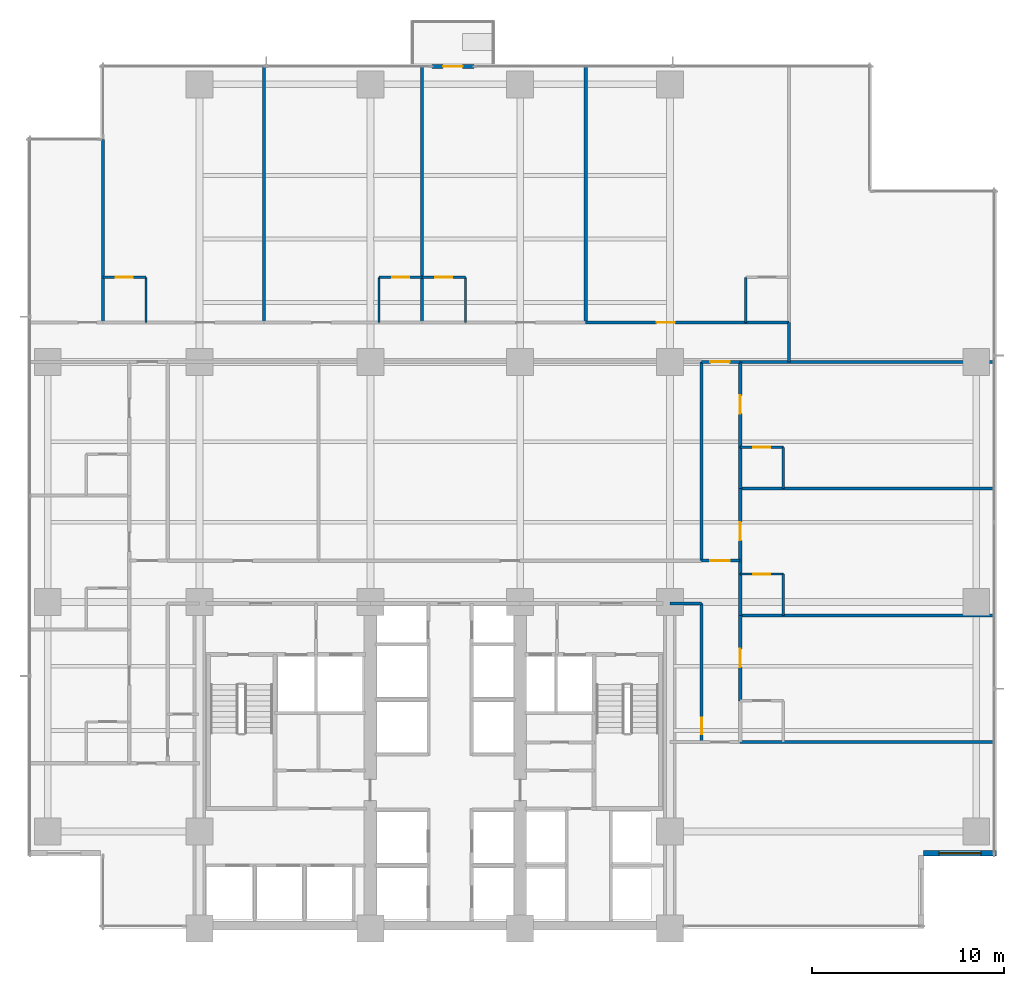
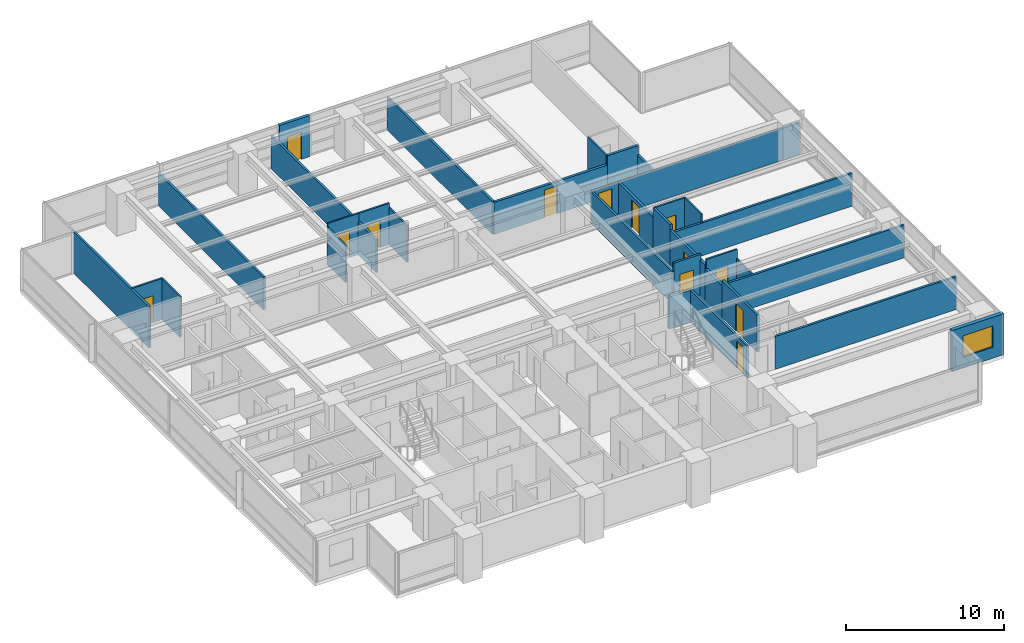
# One storey, part 10 of 16: 34 walls, 13 doors, 1 window, 14 openings.
"""IFC4 building model written with IfcOpenShell, lengths in metres."""

from ifc_helpers import new_model, si_unit, direction, frame, frame_2d, origin, place, context, subcontext, project, spatial, rectangle, extrude, material, layer, layer_set, type_object, element, fill, save


model = new_model("IFC4")

# Units and contexts
model_context = context("Model", 3, precision=1e-05, world=origin(), true_north=direction((0.0, 1.0)))
body_context = subcontext(model_context, "Body", "Model", "MODEL_VIEW")
ifc_project = project(units=[si_unit("LENGTHUNIT", "METRE"), si_unit("AREAUNIT", "SQUARE_METRE"), si_unit("VOLUMEUNIT", "CUBIC_METRE"), si_unit("PLANEANGLEUNIT", "RADIAN"), si_unit("MASSUNIT", "GRAM", prefix="KILO")], contexts=[model_context])

# Site, building, storey
site_placement = place(None, origin())
site = spatial("IfcSite", under=ifc_project, at=site_placement, CompositionType="ELEMENT")
building_placement = place(site_placement, origin())
building = spatial("IfcBuilding", under=site, at=building_placement, Name="Qalmaran Belvedere Hotel", CompositionType="ELEMENT")
storey_placement = place(building_placement, frame((0.0, 0.0, 71.89990234375)))
storey = spatial("IfcBuildingStorey", under=building, at=storey_placement, Name="L18", CompositionType="ELEMENT", Elevation=71.89990234375)

# Wall, opening, door
ifc_material_1 = material(Name="Anodised Bronze Cladding")
ifc_layer_1 = layer(ifc_material_1, 0.22509765625, Name="Anodised Bronze Cladding")
ifc_layer_set_1 = layer_set([ifc_layer_1], Name="Anodised Bronze Cladding")
wall_type_1 = type_object("IfcWallType", Name="WL-BAL-PORT-225", PredefinedType="SOLIDWALL", material=ifc_layer_set_1)
wall_1_placement = place(storey_placement, frame((32.39990234375, 48.3798828125, 0.0), z_axis=(0.0, 0.0, 1.0), x_axis=(1.0, 0.0, 0.0)))
wall_1 = element("IfcWall", 1, at=wall_1_placement, inside=storey, type_object=wall_type_1, Name="L18 Tree Balcony Door Portal", PredefinedType="SOLIDWALL", context=body_context, shape_type="SweptSolid", body=[
    extrude(rectangle(XDim=2.2001953125, YDim=0.22509765625, at=frame_2d((1.10009765625, 0.0))), origin(), (0.0, 0.0, 1.0), 3.18017578125),
])
opening_1_placement = place(wall_1_placement, frame((0.590087890625, 0.0, 0.0)))
opening_1 = element("IfcOpeningElement", 2, at=opening_1_placement, cuts=wall_1, Name="Opening BL-102", PredefinedType="OPENING", context=body_context, shape_type="SweptSolid", body=[
    extrude(rectangle(XDim=1.02001953125, YDim=2.10009765625, at=frame_2d((0.510009765625, 1.050048828125))), frame((0.0, 0.12255859375, 0.0), z_axis=(0.0, -1.0, 0.0), x_axis=(1.0, 0.0, 0.0)), (0.0, 0.0, 1.0), 0.2451171875),
])
ifc_material_2 = material(Name="Anodised Bronze Aluminium", Category="aluminium")
door_type_1 = type_object("IfcDoorType", Name="DR-BAL-1020X2100", OperationType="NOTDEFINED", PredefinedType="DOOR", material=ifc_material_2)
door_1_placement = place(opening_1_placement, origin())
door_1 = element("IfcDoor", 3, at=door_1_placement, inside=storey, type_object=door_type_1, Name="L18 Planted Tree Balcony Door", OperationType="SINGLE_SWING_LEFT", OverallHeight=2.10009765625, OverallWidth=1.02001953125, PredefinedType="DOOR", context=body_context, shape_type="SweptSolid", body=[
    extrude(rectangle(XDim=1.02001953125, YDim=2.10009765625, at=frame_2d((0.510009765625, 1.050048828125))), frame((0.0, 0.02490234375, 0.0), z_axis=(0.0, -1.0, 0.0), x_axis=(1.0, 0.0, 0.0)), (0.0, 0.0, 1.0), 0.050048828125),
])
fill(opening_1, door_1)

# Wall, opening, window
ifc_layer_2 = layer(ifc_material_1, 0.280029296875, Name="Anodised Bronze Cladding")
ifc_layer_set_2 = layer_set([ifc_layer_2], Name="Anodised Bronze Cladding")
wall_type_2 = type_object("IfcWallType", Name="WL-EXT-BRNZ-280", PredefinedType="SOLIDWALL", material=ifc_layer_set_2)
wall_2_placement = place(storey_placement, frame((58.0, 7.419921875, 0.0), z_axis=(0.0, 0.0, 1.0), x_axis=(1.0, 0.0, 0.0)))
wall_2 = element("IfcWall", 4, at=wall_2_placement, inside=storey, type_object=wall_type_2, Name="L18 Corner Notch Wall 2", PredefinedType="SOLIDWALL", context=body_context, shape_type="SweptSolid", body=[
    extrude(rectangle(XDim=3.800048828125, YDim=0.280029296875, at=frame_2d((1.89990234375, 0.0))), origin(), (0.0, 0.0, 1.0), 3.18017578125),
])
opening_2_placement = place(wall_2_placement, frame((0.800048828125, 0.0, 0.85009765625)))
opening_2 = element("IfcOpeningElement", 5, at=opening_2_placement, cuts=wall_2, Name="Opening W-N22", PredefinedType="OPENING", context=body_context, shape_type="SweptSolid", body=[
    extrude(rectangle(XDim=2.199951171875, YDim=1.64990234375, at=frame_2d((1.10009765625, 0.824951171875))), frame((0.0, 0.14990234375, 0.0), z_axis=(0.0, -1.0, 0.0), x_axis=(1.0, 0.0, 0.0)), (0.0, 0.0, 1.0), 0.300048828125),
])
ifc_material_3 = material(Name="Solar-Control Double Glazing", Category="glass")
window_type = type_object("IfcWindowType", Name="WN-NTC-2200X1650", PartitioningType="SINGLE_PANEL", PredefinedType="WINDOW", material=ifc_material_3)
window_placement = place(opening_2_placement, origin())
window = element("IfcWindow", 6, at=window_placement, inside=storey, type_object=window_type, Name="L18 Corner Notch Window 2", OverallHeight=1.64990234375, OverallWidth=2.199951171875, PartitioningType="SINGLE_PANEL", PredefinedType="WINDOW", context=body_context, shape_type="SweptSolid", body=[
    extrude(rectangle(XDim=2.199951171875, YDim=1.64990234375, at=frame_2d((1.10009765625, 0.824951171875))), frame((0.0, 0.030029296875, 0.0), z_axis=(0.0, -1.0, 0.0), x_axis=(1.0, 0.0, 0.0)), (0.0, 0.0, 1.0), 0.06005859375),
])
fill(opening_2, window)

# Wall, opening, door
ifc_material_4 = material(Name="Moisture-Resistant Gypsum")
ifc_layer_3 = layer(ifc_material_4, 0.1201171875, Name="Moisture-Resistant Gypsum")
ifc_layer_set_3 = layer_set([ifc_layer_3], Name="Moisture-Resistant Gypsum")
wall_type_3 = type_object("IfcWallType", Name="WL-INT-120-BATH", PredefinedType="PARTITIONING", material=ifc_layer_set_3)
wall_3_placement = place(storey_placement, frame((15.27001953125, 37.39990234375, 0.0), z_axis=(0.0, 0.0, 1.0), x_axis=(1.0, 0.0, 0.0)))
wall_3 = element("IfcWall", 7, at=wall_3_placement, inside=storey, type_object=wall_type_3, Name="L18 Partition WL-L18-NBN00", PredefinedType="PARTITIONING", context=body_context, shape_type="SweptSolid", body=[
    extrude(rectangle(XDim=2.25, YDim=0.1201171875, at=frame_2d((1.125, 0.0))), origin(), (0.0, 0.0, 1.0), 3.18017578125),
])
opening_3_placement = place(wall_3_placement, frame((1.56494140625, 0.0, 0.0), z_axis=(0.0, 0.0, 1.0), x_axis=(-1.0, 0.0, 0.0)))
opening_3 = element("IfcOpeningElement", 8, at=opening_3_placement, cuts=wall_3, Name="Opening D-BATH", PredefinedType="OPENING", context=body_context, shape_type="SweptSolid", body=[
    extrude(rectangle(XDim=0.8798828125, YDim=2.080078125, at=frame_2d((0.43994140625, 1.0400390625))), frame((0.0, 0.070068359375, 0.0), z_axis=(0.0, -1.0, 0.0), x_axis=(1.0, 0.0, 0.0)), (0.0, 0.0, 1.0), 0.14013671875),
])
ifc_material_5 = material(Name="Engineered Oak Veneer")
door_type_2 = type_object("IfcDoorType", Name="DR-INT-BATH-880X2080", OperationType="NOTDEFINED", PredefinedType="DOOR", material=ifc_material_5)
door_2_placement = place(opening_3_placement, origin())
door_2 = element("IfcDoor", 9, at=door_2_placement, inside=storey, type_object=door_type_2, Name="L18 Ensuite Bathroom Door N01", OperationType="SINGLE_SWING_RIGHT", OverallHeight=2.080078125, OverallWidth=0.8798828125, PredefinedType="DOOR", context=body_context, shape_type="SweptSolid", body=[
    extrude(rectangle(XDim=0.8798828125, YDim=2.080078125, at=frame_2d((0.43994140625, 1.0400390625))), frame((0.0, 0.02490234375, 0.0), z_axis=(0.0, -1.0, 0.0), x_axis=(1.0, 0.0, 0.0)), (0.0, 0.0, 1.0), 0.050048828125),
])
fill(opening_3, door_2)

# Wall
wall_4_placement = place(storey_placement, frame((17.52001953125, 35.050048828125, 0.0), z_axis=(0.0, 0.0, 1.0), x_axis=(0.0, 1.0, 0.0)))
element("IfcWall", 10, at=wall_4_placement, inside=storey, type_object=wall_type_3, Name="L18 Partition WL-L18-NBS00", PredefinedType="PARTITIONING", context=body_context, shape_type="SweptSolid", body=[
    extrude(rectangle(XDim=2.349853515625, YDim=0.1201171875, at=frame_2d((1.1748046875, 0.0))), origin(), (0.0, 0.0, 1.0), 3.18017578125),
])

# Wall, opening, door
wall_5_placement = place(storey_placement, frame((29.64990234375, 37.39990234375, 0.0), z_axis=(0.0, 0.0, 1.0), x_axis=(1.0, 0.0, 0.0)))
wall_5 = element("IfcWall", 11, at=wall_5_placement, inside=storey, type_object=wall_type_3, Name="L18 Partition WL-L18-NBN01", PredefinedType="PARTITIONING", context=body_context, shape_type="SweptSolid", body=[
    extrude(rectangle(XDim=2.25, YDim=0.1201171875, at=frame_2d((1.125, 0.0))), origin(), (0.0, 0.0, 1.0), 3.18017578125),
])
opening_4_placement = place(wall_5_placement, frame((1.56494140625, 0.0, 0.0), z_axis=(0.0, 0.0, 1.0), x_axis=(-1.0, 0.0, 0.0)))
opening_4 = element("IfcOpeningElement", 12, at=opening_4_placement, cuts=wall_5, Name="Opening D-BATH", PredefinedType="OPENING", context=body_context, shape_type="SweptSolid", body=[
    extrude(rectangle(XDim=0.8798828125, YDim=2.080078125, at=frame_2d((0.43994140625, 1.0400390625))), frame((0.0, 0.070068359375, 0.0), z_axis=(0.0, -1.0, 0.0), x_axis=(1.0, 0.0, 0.0)), (0.0, 0.0, 1.0), 0.14013671875),
])
door_3_placement = place(opening_4_placement, origin())
door_3 = element("IfcDoor", 13, at=door_3_placement, inside=storey, type_object=door_type_2, Name="L18 Ensuite Bathroom Door N02", OperationType="SINGLE_SWING_RIGHT", OverallHeight=2.080078125, OverallWidth=0.8798828125, PredefinedType="DOOR", context=body_context, shape_type="SweptSolid", body=[
    extrude(rectangle(XDim=0.8798828125, YDim=2.080078125, at=frame_2d((0.43994140625, 1.0400390625))), frame((0.0, 0.02490234375, 0.0), z_axis=(0.0, -1.0, 0.0), x_axis=(1.0, 0.0, 0.0)), (0.0, 0.0, 1.0), 0.050048828125),
])
fill(opening_4, door_3)

# Wall
wall_6_placement = place(storey_placement, frame((29.64990234375, 35.050048828125, 0.0), z_axis=(0.0, 0.0, 1.0), x_axis=(0.0, 1.0, 0.0)))
element("IfcWall", 14, at=wall_6_placement, inside=storey, type_object=wall_type_3, Name="L18 Partition WL-L18-NBS01", PredefinedType="PARTITIONING", context=body_context, shape_type="SweptSolid", body=[
    extrude(rectangle(XDim=2.349853515625, YDim=0.1201171875, at=frame_2d((1.1748046875, 0.0))), origin(), (0.0, 0.0, 1.0), 2.862060546875),
])

# Wall, opening, door
wall_7_placement = place(storey_placement, frame((31.89990234375, 37.39990234375, 0.0), z_axis=(0.0, 0.0, 1.0), x_axis=(1.0, 0.0, 0.0)))
wall_7 = element("IfcWall", 15, at=wall_7_placement, inside=storey, type_object=wall_type_3, Name="L18 Partition WL-L18-NBN02", PredefinedType="PARTITIONING", context=body_context, shape_type="SweptSolid", body=[
    extrude(rectangle(XDim=2.25, YDim=0.1201171875, at=frame_2d((1.125, 0.0))), origin(), (0.0, 0.0, 1.0), 3.18017578125),
])
opening_5_placement = place(wall_7_placement, frame((1.56494140625, 0.0, 0.0), z_axis=(0.0, 0.0, 1.0), x_axis=(-1.0, 0.0, 0.0)))
opening_5 = element("IfcOpeningElement", 16, at=opening_5_placement, cuts=wall_7, Name="Opening D-BATH", PredefinedType="OPENING", context=body_context, shape_type="SweptSolid", body=[
    extrude(rectangle(XDim=0.8798828125, YDim=2.080078125, at=frame_2d((0.43994140625, 1.0400390625))), frame((0.0, 0.070068359375, 0.0), z_axis=(0.0, -1.0, 0.0), x_axis=(1.0, 0.0, 0.0)), (0.0, 0.0, 1.0), 0.14013671875),
])
door_4_placement = place(opening_5_placement, origin())
door_4 = element("IfcDoor", 17, at=door_4_placement, inside=storey, type_object=door_type_2, Name="L18 Ensuite Bathroom Door N03", OperationType="SINGLE_SWING_RIGHT", OverallHeight=2.080078125, OverallWidth=0.8798828125, PredefinedType="DOOR", context=body_context, shape_type="SweptSolid", body=[
    extrude(rectangle(XDim=0.8798828125, YDim=2.080078125, at=frame_2d((0.43994140625, 1.0400390625))), frame((0.0, 0.02490234375, 0.0), z_axis=(0.0, -1.0, 0.0), x_axis=(1.0, 0.0, 0.0)), (0.0, 0.0, 1.0), 0.050048828125),
])
fill(opening_5, door_4)

# Walls
wall_8_placement = place(storey_placement, frame((34.14990234375, 35.050048828125, 0.0), z_axis=(0.0, 0.0, 1.0), x_axis=(0.0, 1.0, 0.0)))
element("IfcWall", 18, at=wall_8_placement, inside=storey, type_object=wall_type_3, Name="L18 Partition WL-L18-NBS02", PredefinedType="PARTITIONING", context=body_context, shape_type="SweptSolid", body=[
    extrude(rectangle(XDim=2.349853515625, YDim=0.1201171875, at=frame_2d((1.1748046875, 0.0))), origin(), (0.0, 0.0, 1.0), 2.862060546875),
])
wall_9_placement = place(storey_placement, frame((48.75, 35.050048828125, 0.0), z_axis=(0.0, 0.0, 1.0), x_axis=(0.0, 1.0, 0.0)))
element("IfcWall", 19, at=wall_9_placement, inside=storey, type_object=wall_type_3, Name="L18 Partition WL-L18-NBS03", PredefinedType="PARTITIONING", context=body_context, shape_type="SweptSolid", body=[
    extrude(rectangle(XDim=2.349853515625, YDim=0.1201171875, at=frame_2d((1.1748046875, 0.0))), origin(), (0.0, 0.0, 1.0), 3.18017578125),
])

# Wall, opening, door
wall_10_placement = place(storey_placement, frame((48.449951171875, 21.949951171875, 0.0), z_axis=(0.0, 0.0, 1.0), x_axis=(1.0, 0.0, 0.0)))
wall_10 = element("IfcWall", 20, at=wall_10_placement, inside=storey, type_object=wall_type_3, Name="L18 Partition WL-L18-EBN01", PredefinedType="PARTITIONING", context=body_context, shape_type="SweptSolid", body=[
    extrude(rectangle(XDim=2.25, YDim=0.1201171875, at=frame_2d((1.125, 0.0))), origin(), (0.0, 0.0, 1.0), 3.18017578125),
])
opening_6_placement = place(wall_10_placement, frame((1.56494140625, 0.0, 0.0), z_axis=(0.0, 0.0, 1.0), x_axis=(-1.0, 0.0, 0.0)))
opening_6 = element("IfcOpeningElement", 21, at=opening_6_placement, cuts=wall_10, Name="Opening D-BATH", PredefinedType="OPENING", context=body_context, shape_type="SweptSolid", body=[
    extrude(rectangle(XDim=0.8798828125, YDim=2.080078125, at=frame_2d((0.43994140625, 1.0400390625))), frame((0.0, 0.070068359375, 0.0), z_axis=(0.0, -1.0, 0.0), x_axis=(1.0, 0.0, 0.0)), (0.0, 0.0, 1.0), 0.14013671875),
])
door_5_placement = place(opening_6_placement, origin())
door_5 = element("IfcDoor", 22, at=door_5_placement, inside=storey, type_object=door_type_2, Name="L18 E Ensuite Door 02", OperationType="SINGLE_SWING_RIGHT", OverallHeight=2.080078125, OverallWidth=0.8798828125, PredefinedType="DOOR", context=body_context, shape_type="SweptSolid", body=[
    extrude(rectangle(XDim=0.8798828125, YDim=2.080078125, at=frame_2d((0.43994140625, 1.0400390625))), frame((0.0, 0.02490234375, 0.0), z_axis=(0.0, -1.0, 0.0), x_axis=(1.0, 0.0, 0.0)), (0.0, 0.0, 1.0), 0.050048828125),
])
fill(opening_6, door_5)

# Wall
wall_11_placement = place(storey_placement, frame((50.699951171875, 19.800048828125, 0.0), z_axis=(0.0, 0.0, 1.0), x_axis=(0.0, 1.0, 0.0)))
element("IfcWall", 23, at=wall_11_placement, inside=storey, type_object=wall_type_3, Name="L18 Partition WL-L18-EBS01", PredefinedType="PARTITIONING", context=body_context, shape_type="SweptSolid", body=[
    extrude(rectangle(XDim=2.14990234375, YDim=0.1201171875, at=frame_2d((1.074951171875, 0.0))), origin(), (0.0, 0.0, 1.0), 2.47021484375),
])

# Wall, opening, door
wall_12_placement = place(storey_placement, frame((48.449951171875, 28.550048828125, 0.0), z_axis=(0.0, 0.0, 1.0), x_axis=(1.0, 0.0, 0.0)))
wall_12 = element("IfcWall", 24, at=wall_12_placement, inside=storey, type_object=wall_type_3, Name="L18 Partition WL-L18-EBN02", PredefinedType="PARTITIONING", context=body_context, shape_type="SweptSolid", body=[
    extrude(rectangle(XDim=2.25, YDim=0.1201171875, at=frame_2d((1.125, 0.0))), origin(), (0.0, 0.0, 1.0), 3.18017578125),
])
opening_7_placement = place(wall_12_placement, frame((1.56494140625, 0.0, 0.0), z_axis=(0.0, 0.0, 1.0), x_axis=(-1.0, 0.0, 0.0)))
opening_7 = element("IfcOpeningElement", 25, at=opening_7_placement, cuts=wall_12, Name="Opening D-BATH", PredefinedType="OPENING", context=body_context, shape_type="SweptSolid", body=[
    extrude(rectangle(XDim=0.8798828125, YDim=2.080078125, at=frame_2d((0.43994140625, 1.0400390625))), frame((0.0, 0.070068359375, 0.0), z_axis=(0.0, -1.0, 0.0), x_axis=(1.0, 0.0, 0.0)), (0.0, 0.0, 1.0), 0.14013671875),
])
door_6_placement = place(opening_7_placement, origin())
door_6 = element("IfcDoor", 26, at=door_6_placement, inside=storey, type_object=door_type_2, Name="L18 E Ensuite Door 03", OperationType="SINGLE_SWING_RIGHT", OverallHeight=2.080078125, OverallWidth=0.8798828125, PredefinedType="DOOR", context=body_context, shape_type="SweptSolid", body=[
    extrude(rectangle(XDim=0.8798828125, YDim=2.080078125, at=frame_2d((0.43994140625, 1.0400390625))), frame((0.0, 0.02490234375, 0.0), z_axis=(0.0, -1.0, 0.0), x_axis=(1.0, 0.0, 0.0)), (0.0, 0.0, 1.0), 0.050048828125),
])
fill(opening_7, door_6)

# Wall
wall_13_placement = place(storey_placement, frame((50.699951171875, 26.39990234375, 0.0), z_axis=(0.0, 0.0, 1.0), x_axis=(0.0, 1.0, 0.0)))
element("IfcWall", 27, at=wall_13_placement, inside=storey, type_object=wall_type_3, Name="L18 Partition WL-L18-EBS02", PredefinedType="PARTITIONING", context=body_context, shape_type="SweptSolid", body=[
    extrude(rectangle(XDim=2.150146484375, YDim=0.1201171875, at=frame_2d((1.0751953125, 0.0))), origin(), (0.0, 0.0, 1.0), 3.18017578125),
])

# Wall, opening, door
ifc_material_6 = material(Name="Gypsum Stud Partition")
ifc_layer_4 = layer(ifc_material_6, 0.14990234375, Name="Gypsum Stud Partition")
ifc_layer_set_4 = layer_set([ifc_layer_4], Name="Gypsum Stud Partition")
wall_type_4 = type_object("IfcWallType", Name="WL-INT-150-EI60", PredefinedType="PARTITIONING", material=ifc_layer_set_4)
wall_14_placement = place(storey_placement, frame((46.449951171875, 22.64990234375, 0.0), z_axis=(0.0, 0.0, 1.0), x_axis=(1.0, 0.0, 0.0)))
wall_14 = element("IfcWall", 28, at=wall_14_placement, inside=storey, type_object=wall_type_4, Name="L18 Partition WL-L18-XCE1", PredefinedType="PARTITIONING", context=body_context, shape_type="SweptSolid", body=[
    extrude(rectangle(XDim=2.0, YDim=0.14990234375, at=frame_2d((1.0, 0.0))), origin(), (0.0, 0.0, 1.0), 3.18017578125),
])
opening_8_placement = place(wall_14_placement, frame((0.449951171875, 0.0, 0.0)))
opening_8 = element("IfcOpeningElement", 29, at=opening_8_placement, cuts=wall_14, Name="Opening FD90B", PredefinedType="OPENING", context=body_context, shape_type="SweptSolid", body=[
    extrude(rectangle(XDim=1.0, YDim=2.14990234375, at=frame_2d((0.5, 1.074951171875))), frame((0.0, 0.0849609375, 0.0), z_axis=(0.0, -1.0, 0.0), x_axis=(1.0, 0.0, 0.0)), (0.0, 0.0, 1.0), 0.169921875),
])
ifc_material_7 = material(Name="Steel S355JR", Category="steel")
door_type_3 = type_object("IfcDoorType", Name="DR-FD90B-1000X2150", OperationType="NOTDEFINED", PredefinedType="DOOR", material=ifc_material_7)
door_7_placement = place(opening_8_placement, origin())
door_7 = element("IfcDoor", 30, at=door_7_placement, inside=storey, type_object=door_type_3, Name="L18 East Corridor Smoke Door S", OperationType="SINGLE_SWING_RIGHT", OverallHeight=2.14990234375, OverallWidth=1.0, PredefinedType="DOOR", context=body_context, shape_type="SweptSolid", body=[
    extrude(rectangle(XDim=1.0, YDim=2.14990234375, at=frame_2d((0.5, 1.074951171875))), frame((0.0, 0.02490234375, 0.0), z_axis=(0.0, -1.0, 0.0), x_axis=(1.0, 0.0, 0.0)), (0.0, 0.0, 1.0), 0.050048828125),
])
fill(opening_8, door_7)

wall_15_placement = place(storey_placement, frame((46.449951171875, 33.0, 0.0), z_axis=(0.0, 0.0, 1.0), x_axis=(1.0, 0.0, 0.0)))
wall_15 = element("IfcWall", 31, at=wall_15_placement, inside=storey, type_object=wall_type_4, Name="L18 Partition WL-L18-XCE2", PredefinedType="PARTITIONING", context=body_context, shape_type="SweptSolid", body=[
    extrude(rectangle(XDim=2.0, YDim=0.14990234375, at=frame_2d((1.0, 0.0))), origin(), (0.0, 0.0, 1.0), 2.47021484375),
])
opening_9_placement = place(wall_15_placement, frame((0.449951171875, 0.0, 0.0)))
opening_9 = element("IfcOpeningElement", 32, at=opening_9_placement, cuts=wall_15, Name="Opening FD90B", PredefinedType="OPENING", context=body_context, shape_type="SweptSolid", body=[
    extrude(rectangle(XDim=1.0, YDim=2.14990234375, at=frame_2d((0.5, 1.074951171875))), frame((0.0, 0.0849609375, 0.0), z_axis=(0.0, -1.0, 0.0), x_axis=(1.0, 0.0, 0.0)), (0.0, 0.0, 1.0), 0.169921875),
])
door_8_placement = place(opening_9_placement, origin())
door_8 = element("IfcDoor", 33, at=door_8_placement, inside=storey, type_object=door_type_3, Name="L18 East Corridor Smoke Door N", OperationType="SINGLE_SWING_LEFT", OverallHeight=2.14990234375, OverallWidth=1.0, PredefinedType="DOOR", context=body_context, shape_type="SweptSolid", body=[
    extrude(rectangle(XDim=1.0, YDim=2.14990234375, at=frame_2d((0.5, 1.074951171875))), frame((0.0, 0.02490234375, 0.0), z_axis=(0.0, -1.0, 0.0), x_axis=(1.0, 0.0, 0.0)), (0.0, 0.0, 1.0), 0.050048828125),
])
fill(opening_9, door_8)

ifc_layer_5 = layer(ifc_material_6, 0.159912109375, Name="Gypsum Stud Partition")
ifc_layer_set_5 = layer_set([ifc_layer_5], Name="Gypsum Stud Partition")
wall_type_5 = type_object("IfcWallType", Name="WL-INT-160-EI60", PredefinedType="PARTITIONING", material=ifc_layer_set_5)
wall_16_placement = place(storey_placement, frame((46.449951171875, 13.199951171875, 0.0), z_axis=(0.0, 0.0, 1.0), x_axis=(0.0, 1.0, 0.0)))
wall_16 = element("IfcWall", 34, at=wall_16_placement, inside=storey, type_object=wall_type_5, Name="L18 Partition WL-L18-ECL", PredefinedType="PARTITIONING", context=body_context, shape_type="SweptSolid", body=[
    extrude(rectangle(XDim=7.219970703125, YDim=0.159912109375, at=frame_2d((3.60986328125, 0.0))), origin(), (0.0, 0.0, 1.0), 2.47021484375),
])
opening_10_placement = place(wall_16_placement, frame((0.39990234375, 0.0, 0.0)))
opening_10 = element("IfcOpeningElement", 35, at=opening_10_placement, cuts=wall_16, Name="Opening FD60B", PredefinedType="OPENING", context=body_context, shape_type="SweptSolid", body=[
    extrude(rectangle(XDim=0.8798828125, YDim=2.080078125, at=frame_2d((0.43994140625, 1.0400390625))), frame((0.0, 0.08984375, 0.0), z_axis=(0.0, -1.0, 0.0), x_axis=(1.0, 0.0, 0.0)), (0.0, 0.0, 1.0), 0.179931640625),
])
door_type_4 = type_object("IfcDoorType", Name="DR-FD60B-880X2080", OperationType="NOTDEFINED", PredefinedType="DOOR", material=ifc_material_7)
door_9_placement = place(opening_10_placement, origin())
door_9 = element("IfcDoor", 36, at=door_9_placement, inside=storey, type_object=door_type_4, Name="L18 East Closet Door", OperationType="SINGLE_SWING_LEFT", OverallHeight=2.080078125, OverallWidth=0.8798828125, PredefinedType="DOOR", context=body_context, shape_type="SweptSolid", body=[
    extrude(rectangle(XDim=0.8798828125, YDim=2.080078125, at=frame_2d((0.43994140625, 1.0400390625))), frame((0.0, 0.02490234375, 0.0), z_axis=(0.0, -1.0, 0.0), x_axis=(1.0, 0.0, 0.0)), (0.0, 0.0, 1.0), 0.050048828125),
])
fill(opening_10, door_9)

# Walls
wall_17_placement = place(storey_placement, frame((44.800048828125, 20.419921875, 0.0), z_axis=(0.0, 0.0, 1.0), x_axis=(1.0, 0.0, 0.0)))
element("IfcWall", 37, at=wall_17_placement, inside=storey, type_object=wall_type_5, Name="L18 Partition WL-L18-ECLN", PredefinedType="PARTITIONING", context=body_context, shape_type="SweptSolid", body=[
    extrude(rectangle(XDim=1.64990234375, YDim=0.159912109375, at=frame_2d((0.824951171875, 0.0))), origin(), (0.0, 0.0, 1.0), 2.47021484375),
])
wall_18_placement = place(storey_placement, frame((51.0, 33.0, 0.0), z_axis=(0.0, 0.0, 1.0), x_axis=(0.0, 1.0, 0.0)))
element("IfcWall", 38, at=wall_18_placement, inside=storey, type_object=wall_type_5, Name="L18 Partition WL-L18-NCGE", PredefinedType="PARTITIONING", context=body_context, shape_type="SweptSolid", body=[
    extrude(rectangle(XDim=2.050048828125, YDim=0.159912109375, at=frame_2d((1.02490234375, 0.0))), origin(), (0.0, 0.0, 1.0), 2.47021484375),
])
wall_19_placement = place(storey_placement, frame((46.449951171875, 22.64990234375, 0.0), z_axis=(0.0, 0.0, 1.0), x_axis=(0.0, 1.0, 0.0)))
element("IfcWall", 39, at=wall_19_placement, inside=storey, type_object=wall_type_5, Name="L18 Partition WL-L18-MIDVR2", PredefinedType="PARTITIONING", context=body_context, shape_type="SweptSolid", body=[
    extrude(rectangle(XDim=10.35009765625, YDim=0.159912109375, at=frame_2d((5.175048828125, 0.0))), origin(), (0.0, 0.0, 1.0), 2.47021484375),
])
wall_20_placement = place(storey_placement, frame((15.27001953125, 35.050048828125, 0.0), z_axis=(0.0, 0.0, 1.0), x_axis=(0.0, 1.0, 0.0)))
element("IfcWall", 40, at=wall_20_placement, inside=storey, type_object=wall_type_5, Name="L18 Partition WL-L18-NUL", PredefinedType="PARTITIONING", context=body_context, shape_type="SweptSolid", body=[
    extrude(rectangle(XDim=9.530029296875, YDim=0.159912109375, at=frame_2d((4.76513671875, 0.0))), origin(), (0.0, 0.0, 1.0), 3.18017578125),
])
for number, where, z_axis, x_axis, name in (
    (41, (23.651123046875, 35.050048828125, 0.0), (0.0, 0.0, 1.0), (0.0, 1.0, 0.0), "L18 Partition WL-L18-NUR00"),
    (42, (31.89990234375, 35.050048828125, 0.0), (0.0, 0.0, 1.0), (0.0, 1.0, 0.0), "L18 Partition WL-L18-NUR01"),
    (43, (40.413330078125, 35.050048828125, 0.0), (0.0, 0.0, 1.0), (0.0, 1.0, 0.0), "L18 Partition WL-L18-NUR02"),
):
    element("IfcWall", number, at=place(storey_placement, frame(where, z_axis=z_axis, x_axis=x_axis)), inside=storey, type_object=wall_type_5, Name=name, PredefinedType="PARTITIONING", context=body_context, shape_type="SweptSolid", body=[
        extrude(rectangle(XDim=13.329833984375, YDim=0.159912109375, at=frame_2d((6.6650390625, 0.0))), origin(), (0.0, 0.0, 1.0), 2.543212890625),
    ])
for number, where, z_axis, x_axis, name in (
    (44, (48.449951171875, 13.199951171875, 0.0), (0.0, 0.0, 1.0), (1.0, 0.0, 0.0), "L18 Partition WL-L18-EBOT"),
    (45, (48.449951171875, 19.800048828125, 0.0), (0.0, 0.0, 1.0), (1.0, 0.0, 0.0), "L18 Partition WL-L18-EU00"),
    (46, (48.449951171875, 26.39990234375, 0.0), (0.0, 0.0, 1.0), (1.0, 0.0, 0.0), "L18 Partition WL-L18-EU01"),
):
    element("IfcWall", number, at=place(storey_placement, frame(where, z_axis=z_axis, x_axis=x_axis)), inside=storey, type_object=wall_type_5, Name=name, PredefinedType="PARTITIONING", context=body_context, shape_type="SweptSolid", body=[
        extrude(rectangle(XDim=13.22998046875, YDim=0.159912109375, at=frame_2d((6.614990234375, 0.0))), origin(), (0.0, 0.0, 1.0), 2.543212890625),
    ])
wall_21_placement = place(storey_placement, frame((48.449951171875, 33.0, 0.0), z_axis=(0.0, 0.0, 1.0), x_axis=(1.0, 0.0, 0.0)))
element("IfcWall", 47, at=wall_21_placement, inside=storey, type_object=wall_type_5, Name="L18 Partition WL-L18-EU02", PredefinedType="PARTITIONING", context=body_context, shape_type="SweptSolid", body=[
    extrude(rectangle(XDim=13.22998046875, YDim=0.159912109375, at=frame_2d((6.614990234375, 0.0))), origin(), (0.0, 0.0, 1.0), 2.47021484375),
])
ifc_layer_6 = layer(ifc_material_6, 0.179931640625, Name="Gypsum Stud Partition")
ifc_layer_set_6 = layer_set([ifc_layer_6], Name="Gypsum Stud Partition")
wall_type_6 = type_object("IfcWallType", Name="WL-INT-180-EI60", PredefinedType="PARTITIONING", material=ifc_layer_set_6)
wall_22_placement = place(storey_placement, frame((48.75, 35.050048828125, 0.0), z_axis=(0.0, 0.0, 1.0), x_axis=(1.0, 0.0, 0.0)))
element("IfcWall", 48, at=wall_22_placement, inside=storey, type_object=wall_type_6, Name="L18 Partition WL-L18-NBC03", PredefinedType="PARTITIONING", context=body_context, shape_type="SweptSolid", body=[
    extrude(rectangle(XDim=2.25, YDim=0.179931640625, at=frame_2d((1.125, 0.0))), origin(), (0.0, 0.0, 1.0), 3.18017578125),
])

# Wall, opening, door
wall_23_placement = place(storey_placement, frame((40.413330078125, 35.050048828125, 0.0), z_axis=(0.0, 0.0, 1.0), x_axis=(1.0, 0.0, 0.0)))
wall_23 = element("IfcWall", 49, at=wall_23_placement, inside=storey, type_object=wall_type_6, Name="L18 Partition WL-L18-NEC03", PredefinedType="PARTITIONING", context=body_context, shape_type="SweptSolid", body=[
    extrude(rectangle(XDim=8.336669921875, YDim=0.179931640625, at=frame_2d((4.16845703125, 0.0))), origin(), (0.0, 0.0, 1.0), 2.47021484375),
])
opening_11_placement = place(wall_23_placement, frame((3.693359375, 0.0, 0.0)))
opening_11 = element("IfcOpeningElement", 50, at=opening_11_placement, cuts=wall_23, Name="Opening FD60", PredefinedType="OPENING", context=body_context, shape_type="SweptSolid", body=[
    extrude(rectangle(XDim=0.949951171875, YDim=2.14990234375, at=frame_2d((0.47509765625, 1.074951171875))), frame((0.0, 0.10009765625, 0.0), z_axis=(0.0, -1.0, 0.0), x_axis=(1.0, 0.0, 0.0)), (0.0, 0.0, 1.0), 0.199951171875),
])
door_type_5 = type_object("IfcDoorType", Name="DR-FD60-950X2150", OperationType="NOTDEFINED", PredefinedType="DOOR", material=ifc_material_5)
door_10_placement = place(opening_11_placement, origin())
door_10 = element("IfcDoor", 51, at=door_10_placement, inside=storey, type_object=door_type_5, Name="L18 Guest Entrance Door N04", OperationType="SINGLE_SWING_LEFT", OverallHeight=2.14990234375, OverallWidth=0.949951171875, PredefinedType="DOOR", context=body_context, shape_type="SweptSolid", body=[
    extrude(rectangle(XDim=0.949951171875, YDim=2.14990234375, at=frame_2d((0.47509765625, 1.074951171875))), frame((0.0, 0.02490234375, 0.0), z_axis=(0.0, -1.0, 0.0), x_axis=(1.0, 0.0, 0.0)), (0.0, 0.0, 1.0), 0.050048828125),
])
fill(opening_11, door_10)

wall_24_placement = place(storey_placement, frame((48.449951171875, 15.35009765625, 0.0), z_axis=(0.0, 0.0, 1.0), x_axis=(0.0, 1.0, 0.0)))
wall_24 = element("IfcWall", 52, at=wall_24_placement, inside=storey, type_object=wall_type_6, Name="L18 Partition WL-L18-EEC00", PredefinedType="PARTITIONING", context=body_context, shape_type="SweptSolid", body=[
    extrude(rectangle(XDim=4.449951171875, YDim=0.179931640625, at=frame_2d((2.22509765625, 0.0))), origin(), (0.0, 0.0, 1.0), 2.862060546875),
])
opening_12_placement = place(wall_24_placement, frame((2.699951171875, 0.0, 0.0), z_axis=(0.0, 0.0, 1.0), x_axis=(-1.0, 0.0, 0.0)))
opening_12 = element("IfcOpeningElement", 53, at=opening_12_placement, cuts=wall_24, Name="Opening FD60", PredefinedType="OPENING", context=body_context, shape_type="SweptSolid", body=[
    extrude(rectangle(XDim=0.949951171875, YDim=2.14990234375, at=frame_2d((0.47509765625, 1.074951171875))), frame((0.0, 0.10009765625, 0.0), z_axis=(0.0, -1.0, 0.0), x_axis=(1.0, 0.0, 0.0)), (0.0, 0.0, 1.0), 0.199951171875),
])
door_11_placement = place(opening_12_placement, origin())
door_11 = element("IfcDoor", 54, at=door_11_placement, inside=storey, type_object=door_type_5, Name="L18 E Wing Door 01", OperationType="SINGLE_SWING_LEFT", OverallHeight=2.14990234375, OverallWidth=0.949951171875, PredefinedType="DOOR", context=body_context, shape_type="SweptSolid", body=[
    extrude(rectangle(XDim=0.949951171875, YDim=2.14990234375, at=frame_2d((0.47509765625, 1.074951171875))), frame((0.0, 0.02490234375, 0.0), z_axis=(0.0, -1.0, 0.0), x_axis=(1.0, 0.0, 0.0)), (0.0, 0.0, 1.0), 0.050048828125),
])
fill(opening_12, door_11)

# Wall
wall_25_placement = place(storey_placement, frame((48.449951171875, 19.800048828125, 0.0), z_axis=(0.0, 0.0, 1.0), x_axis=(0.0, 1.0, 0.0)))
element("IfcWall", 55, at=wall_25_placement, inside=storey, type_object=wall_type_6, Name="L18 Partition WL-L18-EBC01", PredefinedType="PARTITIONING", context=body_context, shape_type="SweptSolid", body=[
    extrude(rectangle(XDim=2.14990234375, YDim=0.179931640625, at=frame_2d((1.074951171875, 0.0))), origin(), (0.0, 0.0, 1.0), 2.47021484375),
])

# Wall, opening, door
wall_26_placement = place(storey_placement, frame((48.449951171875, 21.949951171875, 0.0), z_axis=(0.0, 0.0, 1.0), x_axis=(0.0, 1.0, 0.0)))
wall_26 = element("IfcWall", 56, at=wall_26_placement, inside=storey, type_object=wall_type_6, Name="L18 Partition WL-L18-EEC01", PredefinedType="PARTITIONING", context=body_context, shape_type="SweptSolid", body=[
    extrude(rectangle(XDim=4.449951171875, YDim=0.179931640625, at=frame_2d((2.22509765625, 0.0))), origin(), (0.0, 0.0, 1.0), 2.748046875),
])
opening_13_placement = place(wall_26_placement, frame((2.699951171875, 0.0, 0.0), z_axis=(0.0, 0.0, 1.0), x_axis=(-1.0, 0.0, 0.0)))
opening_13 = element("IfcOpeningElement", 57, at=opening_13_placement, cuts=wall_26, Name="Opening FD60", PredefinedType="OPENING", context=body_context, shape_type="SweptSolid", body=[
    extrude(rectangle(XDim=0.949951171875, YDim=2.14990234375, at=frame_2d((0.47509765625, 1.074951171875))), frame((0.0, 0.10009765625, 0.0), z_axis=(0.0, -1.0, 0.0), x_axis=(1.0, 0.0, 0.0)), (0.0, 0.0, 1.0), 0.199951171875),
])
door_12_placement = place(opening_13_placement, origin())
door_12 = element("IfcDoor", 58, at=door_12_placement, inside=storey, type_object=door_type_5, Name="L18 E Wing Door 02", OperationType="SINGLE_SWING_LEFT", OverallHeight=2.14990234375, OverallWidth=0.949951171875, PredefinedType="DOOR", context=body_context, shape_type="SweptSolid", body=[
    extrude(rectangle(XDim=0.949951171875, YDim=2.14990234375, at=frame_2d((0.47509765625, 1.074951171875))), frame((0.0, 0.02490234375, 0.0), z_axis=(0.0, -1.0, 0.0), x_axis=(1.0, 0.0, 0.0)), (0.0, 0.0, 1.0), 0.050048828125),
])
fill(opening_13, door_12)

# Wall
wall_27_placement = place(storey_placement, frame((48.449951171875, 26.39990234375, 0.0), z_axis=(0.0, 0.0, 1.0), x_axis=(0.0, 1.0, 0.0)))
element("IfcWall", 59, at=wall_27_placement, inside=storey, type_object=wall_type_6, Name="L18 Partition WL-L18-EBC02", PredefinedType="PARTITIONING", context=body_context, shape_type="SweptSolid", body=[
    extrude(rectangle(XDim=2.150146484375, YDim=0.179931640625, at=frame_2d((1.0751953125, 0.0))), origin(), (0.0, 0.0, 1.0), 3.18017578125),
])

# Wall, opening, door
wall_28_placement = place(storey_placement, frame((48.449951171875, 28.550048828125, 0.0), z_axis=(0.0, 0.0, 1.0), x_axis=(0.0, 1.0, 0.0)))
wall_28 = element("IfcWall", 60, at=wall_28_placement, inside=storey, type_object=wall_type_6, Name="L18 Partition WL-L18-EEC02", PredefinedType="PARTITIONING", context=body_context, shape_type="SweptSolid", body=[
    extrude(rectangle(XDim=4.449951171875, YDim=0.179931640625, at=frame_2d((2.22509765625, 0.0))), origin(), (0.0, 0.0, 1.0), 2.47021484375),
])
opening_14_placement = place(wall_28_placement, frame((2.699951171875, 0.0, 0.0), z_axis=(0.0, 0.0, 1.0), x_axis=(-1.0, 0.0, 0.0)))
opening_14 = element("IfcOpeningElement", 61, at=opening_14_placement, cuts=wall_28, Name="Opening FD60", PredefinedType="OPENING", context=body_context, shape_type="SweptSolid", body=[
    extrude(rectangle(XDim=0.949951171875, YDim=2.14990234375, at=frame_2d((0.47509765625, 1.074951171875))), frame((0.0, 0.10009765625, 0.0), z_axis=(0.0, -1.0, 0.0), x_axis=(1.0, 0.0, 0.0)), (0.0, 0.0, 1.0), 0.199951171875),
])
door_13_placement = place(opening_14_placement, origin())
door_13 = element("IfcDoor", 62, at=door_13_placement, inside=storey, type_object=door_type_5, Name="L18 E Wing Door 03", OperationType="SINGLE_SWING_LEFT", OverallHeight=2.14990234375, OverallWidth=0.949951171875, PredefinedType="DOOR", context=body_context, shape_type="SweptSolid", body=[
    extrude(rectangle(XDim=0.949951171875, YDim=2.14990234375, at=frame_2d((0.47509765625, 1.074951171875))), frame((0.0, 0.02490234375, 0.0), z_axis=(0.0, -1.0, 0.0), x_axis=(1.0, 0.0, 0.0)), (0.0, 0.0, 1.0), 0.050048828125),
])
fill(opening_14, door_13)

save(model, "model.ifc")
